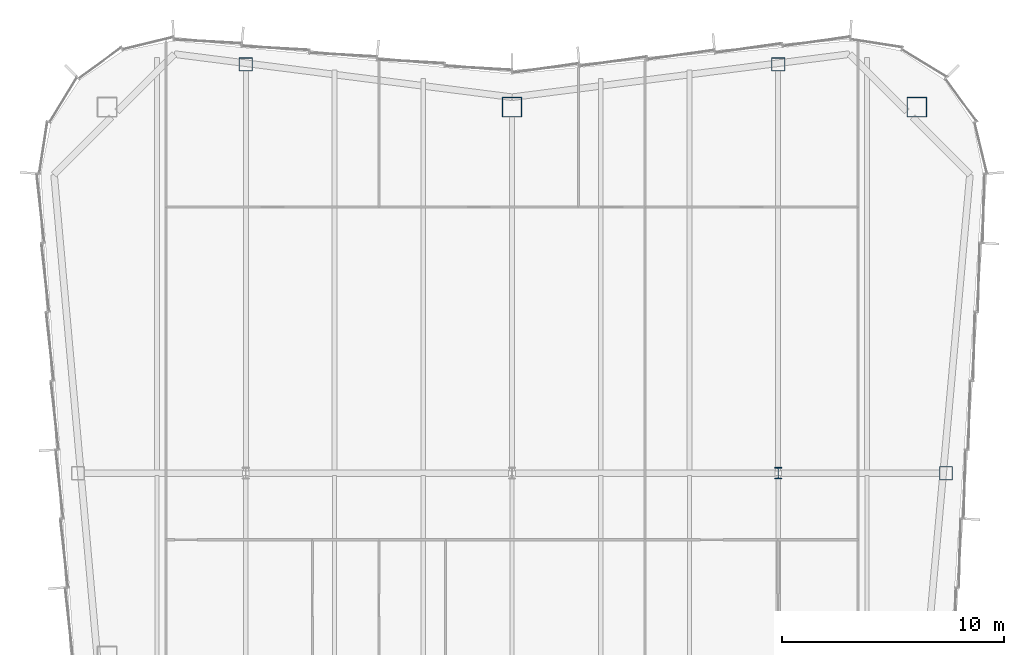
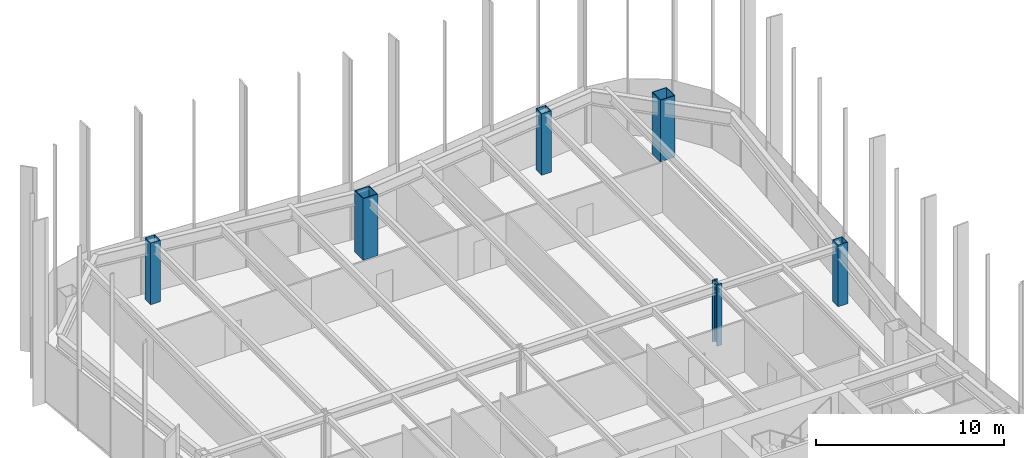
# One storey, part 2 of 13: 6 columns.
"""IFC4 building model written with IfcOpenShell, lengths in metres."""

import ifcopenshell
import ifcopenshell.guid

model = None  # the IFC model being written
_history = None  # IfcOwnerHistory: only IFC2X3 demands one
_inside = {}  # id of a spatial element -> (the spatial element, [elements in it])
_under = {}  # id of a project, library or spatial element -> (it, [spatial elements below it])
_declared = {}  # id of a project -> (the project, [libraries it declares])
_typed = {}  # id of a type object -> (the type object, [elements of that type])
_made_of = {}  # id of a material, layer set ... -> (it, [elements and type objects made of it])


def new_model(schema):
    """Start an empty IFC model of exactly this schema.

    Asked for "IFC4X3", IfcOpenShell would pick the latest addendum, in which some entities
    have other attributes; the version numbers below select the first issue.
    IFC2X3 requires an IfcOwnerHistory on every rooted entity: one is made here for all.
    """
    global model, _history
    if schema == "IFC4X3":
        model = ifcopenshell.file(schema_version=(4, 3, 0, 0))
    else:
        model = ifcopenshell.file(schema=schema)
    _inside.clear()
    _under.clear()
    _declared.clear()
    _typed.clear()
    _made_of.clear()
    _history = None
    if model.schema == "IFC2X3":
        org = make("IfcOrganization", Name="unknown")
        user = make(
            "IfcPersonAndOrganization",
            ThePerson=make("IfcPerson", FamilyName="unknown"),
            TheOrganization=org,
        )
        app = make(
            "IfcApplication",
            ApplicationDeveloper=org,
            Version="unknown",
            ApplicationFullName="unknown",
            ApplicationIdentifier="unknown",
        )
        _history = make(
            "IfcOwnerHistory",
            OwningUser=user,
            OwningApplication=app,
            ChangeAction="ADDED",
            CreationDate=0,
        )
    return model


def make(cls, **values):
    """One entity of the class cls with the attributes given. An attribute that is None is left unset."""
    return model.create_entity(
        cls, **{name: value for name, value in values.items() if value is not None}
    )


def rooted(cls, **values):
    """An entity with a GlobalId (a new one), such as an element, a storey or a relation."""
    return make(cls, GlobalId=ifcopenshell.guid.new(), OwnerHistory=_history, **values)


def si_unit(unit_type, name, prefix=None):
    """IfcSIUnit, for example si_unit("LENGTHUNIT", "METRE", prefix="MILLI")."""
    return make("IfcSIUnit", UnitType=unit_type, Prefix=prefix, Name=name)


def assignment(units):
    """IfcUnitAssignment: the units of a project."""
    return None if units is None else make("IfcUnitAssignment", Units=units)


def point(xyz):
    """IfcCartesianPoint."""
    return None if xyz is None else make("IfcCartesianPoint", Coordinates=xyz)


def direction(xyz):
    """IfcDirection."""
    return None if xyz is None else make("IfcDirection", DirectionRatios=xyz)


def frame(location, z_axis=None, x_axis=None):
    """IfcAxis2Placement3D, a coordinate frame: its origin and axes. An axis left out is left unset."""
    return make(
        "IfcAxis2Placement3D",
        Location=point(location),
        Axis=direction(z_axis),
        RefDirection=direction(x_axis),
    )


def frame_2d(location, x_axis=None):
    """IfcAxis2Placement2D, a coordinate frame in the plane: its origin and x axis."""
    return make(
        "IfcAxis2Placement2D", Location=point(location), RefDirection=direction(x_axis)
    )


def origin():
    """The frame at (0, 0, 0) with its axes left unset."""
    return frame((0.0, 0.0, 0.0))


def origin_2d():
    """The frame at (0, 0) in the plane with its x axis left unset."""
    return frame_2d((0.0, 0.0))


def place(relative_to, where):
    """IfcLocalPlacement: puts the frame where relative to a parent placement (None: the world)."""
    return make(
        "IfcLocalPlacement", PlacementRelTo=relative_to, RelativePlacement=where
    )


def context(
    kind, dimensions, precision=None, world=None, true_north=None, identifier=None
):
    """IfcGeometricRepresentationContext, for example the 3D "Model" context."""
    return make(
        "IfcGeometricRepresentationContext",
        ContextIdentifier=identifier,
        ContextType=kind,
        CoordinateSpaceDimension=dimensions,
        Precision=precision,
        WorldCoordinateSystem=world,
        TrueNorth=true_north,
    )


def subcontext(parent, identifier, kind, view, scale=None):
    """IfcGeometricRepresentationSubContext, for example "Body" below "Model"."""
    return make(
        "IfcGeometricRepresentationSubContext",
        ContextIdentifier=identifier,
        ContextType=kind,
        ParentContext=parent,
        TargetScale=scale,
        TargetView=view,
    )


def project(units=None, contexts=None):
    """IfcProject with its units and contexts."""
    return rooted(
        "IfcProject",
        Name="project",
        RepresentationContexts=contexts,
        UnitsInContext=assignment(units),
    )


def spatial(cls, under=None, at=None, **own):
    """A site, building, storey or space (cls), placed at a placement, below another one or the project."""
    s = rooted(cls, ObjectPlacement=at, **own)
    if under is not None:
        _under.setdefault(under.id(), (under, []))[1].append(s)
    return s


def profile(cls, at=None, kind="AREA", **sizes):
    """A parametric profile (cls). Its sizes go by their IFC names, for example OverallWidth=200.0."""
    return make(cls, ProfileType=kind, Position=at, **sizes)


def hollow_rectangle(**sizes):
    """IfcRectangleHollowProfileDef."""
    return profile("IfcRectangleHollowProfileDef", **sizes)


def i_section(**sizes):
    """IfcIShapeProfileDef."""
    return profile("IfcIShapeProfileDef", **sizes)


def extrude(swept, where, along, depth):
    """IfcExtrudedAreaSolid: the profile swept, set in the frame where, extruded along a direction by depth."""
    return make(
        "IfcExtrudedAreaSolid",
        SweptArea=swept,
        Position=where,
        ExtrudedDirection=direction(along),
        Depth=depth,
    )


def shape(context_of_items, identifier, shape_type, items):
    """IfcShapeRepresentation: the items that make up one representation, for example the "Body"."""
    return make(
        "IfcShapeRepresentation",
        ContextOfItems=context_of_items,
        RepresentationIdentifier=identifier,
        RepresentationType=shape_type,
        Items=items,
    )


def material(Name=None, Category=None):
    """IfcMaterial."""
    return make("IfcMaterial", Name=Name, Category=Category)


def material_profile(
    of_material, cross_section, Name=None, Category=None, Priority=None
):
    """IfcMaterialProfile: a cross section and its material."""
    return make(
        "IfcMaterialProfile",
        Name=Name,
        Material=of_material,
        Profile=cross_section,
        Priority=Priority,
        Category=Category,
    )


def profile_set(profiles, Name=None, composite=None):
    """IfcMaterialProfileSet."""
    return make(
        "IfcMaterialProfileSet",
        Name=Name,
        MaterialProfiles=profiles,
        CompositeProfile=composite,
    )


def made_of(thing, what):
    """Note that an element or type object is made of a material, layer set ...; save() writes the relation."""
    if what is not None:
        _made_of.setdefault(what.id(), (what, []))[1].append(thing)
    return thing


def type_object(cls, material=None, **own):
    """A type object (cls), such as IfcWallType, which elements share."""
    return made_of(rooted(cls, **own), material)


def element(
    cls,
    number,
    at=None,
    inside=None,
    cuts=None,
    type_object=None,
    material=None,
    context=None,
    identifier="Body",
    shape_type=None,
    held_by="IfcProductDefinitionShape",
    body=None,
    shapes=None,
    **own,
):
    """One element of the class cls, such as IfcWall. Its Tag is "e" and its number.

    at: its placement. inside: the storey or other place that contains it. cuts: it is an
    opening in that element (IfcRelVoidsElement). A single representation is given by context,
    identifier, shape_type and body (its items); several are given by shapes. held_by: the class
    of the entity that holds the representations. save() writes the other relations.
    """
    e = rooted(cls, Tag="e%d" % number, ObjectPlacement=at, **own)
    if body is not None:
        shapes = [shape(context, identifier, shape_type, body)]
    if shapes is not None:
        e.Representation = make(held_by, Representations=shapes)
    if inside is not None:
        _inside.setdefault(inside.id(), (inside, []))[1].append(e)
    if cuts is not None:
        rooted(
            "IfcRelVoidsElement", RelatingBuildingElement=cuts, RelatedOpeningElement=e
        )
    if type_object is not None:
        _typed.setdefault(type_object.id(), (type_object, []))[1].append(e)
    return made_of(e, material)


def aggregate(whole, parts):
    """IfcRelAggregates: a whole, such as a stair, and the parts it consists of."""
    return rooted("IfcRelAggregates", RelatingObject=whole, RelatedObjects=parts)


def save(model, path):
    """Write the relations noted so far, then the file.

    IfcRelAggregates (storeys below a building ...), IfcRelContainedInSpatialStructure (elements
    in a storey), IfcRelDefinesByType, IfcRelAssociatesMaterial and IfcRelDeclares: one each for
    every whole, place, type object, material and project.
    """
    for whole, parts in _under.values():
        aggregate(whole, parts)
    for where, things in _inside.values():
        rooted(
            "IfcRelContainedInSpatialStructure",
            RelatedElements=things,
            RelatingStructure=where,
        )
    for kind, things in _typed.values():
        rooted("IfcRelDefinesByType", RelatedObjects=things, RelatingType=kind)
    for what, things in _made_of.values():
        rooted("IfcRelAssociatesMaterial", RelatedObjects=things, RelatingMaterial=what)
    for by, libraries in _declared.values():
        rooted("IfcRelDeclares", RelatingContext=by, RelatedDefinitions=libraries)
    model.write(path)


model = new_model("IFC4")

# Units and contexts
model_context = context("Model", 3, precision=1e-05, world=origin(), true_north=direction((0.0, 1.0)))
body_context = subcontext(model_context, "Body", "Model", "MODEL_VIEW")
ifc_project = project(units=[si_unit("LENGTHUNIT", "METRE"), si_unit("AREAUNIT", "SQUARE_METRE"), si_unit("VOLUMEUNIT", "CUBIC_METRE"), si_unit("PLANEANGLEUNIT", "RADIAN"), si_unit("MASSUNIT", "GRAM", prefix="KILO")], contexts=[model_context])

# Site, building, storey
site_placement = place(None, origin())
site = spatial("IfcSite", under=ifc_project, at=site_placement, CompositionType="ELEMENT")
building_placement = place(site_placement, origin())
building = spatial("IfcBuilding", under=site, at=building_placement, Name="Verdant Reach Tower", CompositionType="ELEMENT")
storey_placement = place(building_placement, frame((0.0, 0.0, 306.0)))
storey = spatial("IfcBuildingStorey", under=building, at=storey_placement, Name="L70", CompositionType="ELEMENT", Elevation=306.0)

# Columns
ifc_material = material(Name="Steel S460", Category="steel")
ifc_material_profile_1 = material_profile(ifc_material, i_section(OverallWidth=0.305908203125, OverallDepth=0.52392578125, WebThickness=0.012451171875, FlangeThickness=0.0400390625, FilletRadius=0.027099609375, at=origin_2d()), Name="HEM 500")
ifc_profile_set_1 = profile_set([ifc_material_profile_1], Name="Steel S460")
column_type_1 = type_object("IfcColumnType", Name="ST-COL-HEM500", PredefinedType="COLUMN", material=ifc_profile_set_1)
column_placement = place(storey_placement, frame((12.0, 49.5, 0.0), z_axis=(0.0, 0.0, 1.0), x_axis=(1.0, 0.0, 0.0)))
element("IfcColumn", 1, at=column_placement, inside=storey, type_object=column_type_1, Name="Interior column 3, L70", PredefinedType="COLUMN", context=body_context, shape_type="SweptSolid", body=[
    extrude(i_section(OverallWidth=0.305908203125, OverallDepth=0.52392578125, WebThickness=0.012451171875, FlangeThickness=0.0400390625, FilletRadius=0.027099609375, at=origin_2d()), origin(), (0.0, 0.0, 1.0), 4.0),
])
ifc_material_profile_2 = material_profile(ifc_material, hollow_rectangle(XDim=0.60009765625, YDim=0.60009765625, WallThickness=0.02490234375, at=origin_2d()), Name="WB 600x600x25")
ifc_profile_set_2 = profile_set([ifc_material_profile_2], Name="Steel S460")
column_type_2 = type_object("IfcColumnType", Name="ST-COL-WB600x600x25", PredefinedType="COLUMN", material=ifc_profile_set_2)
for number, where, z_axis, x_axis, name in (
    (2, (-12.0, 67.930419921875, 0.0), (0.0, 0.0, 1.0), (1.0, 0.0, 0.0), "Perimeter column north 1, L70"),
    (3, (12.0, 67.930419921875, 0.0), (0.0, 0.0, 1.0), (1.0, 0.0, 0.0), "Perimeter column north 2, L70"),
    (4, (19.569091796875, 49.5, 0.0), (0.0, 0.0, 1.0), (1.0, 0.0, 0.0), "Perimeter column east 2, L70"),
):
    element("IfcColumn", number, at=place(storey_placement, frame(where, z_axis=z_axis, x_axis=x_axis)), inside=storey, type_object=column_type_2, Name=name, PredefinedType="COLUMN", context=body_context, shape_type="SweptSolid", body=[
        extrude(hollow_rectangle(XDim=0.60009765625, YDim=0.60009765625, WallThickness=0.02490234375, at=origin_2d()), origin(), (0.0, 0.0, 1.0), 4.0),
    ])
ifc_material_profile_3 = material_profile(ifc_material, hollow_rectangle(XDim=0.89990234375, YDim=0.89990234375, WallThickness=0.0400390625, at=origin_2d()), Name="WB 900x900x40")
ifc_profile_set_3 = profile_set([ifc_material_profile_3], Name="Steel S460")
column_type_3 = type_object("IfcColumnType", Name="ST-COL-WB900x900x40", PredefinedType="COLUMN", material=ifc_profile_set_3)
for number, where, z_axis, x_axis, name in (
    (5, (0.0, 66.0, 0.0), (0.0, 0.0, 1.0), (1.0, 0.0, 0.0), "Mega column north, L70"),
    (6, (18.25, 66.0, 0.0), (0.0, 0.0, 1.0), (1.0, 0.0, 0.0), "Mega column north-east, L70"),
):
    element("IfcColumn", number, at=place(storey_placement, frame(where, z_axis=z_axis, x_axis=x_axis)), inside=storey, type_object=column_type_3, Name=name, PredefinedType="COLUMN", context=body_context, shape_type="SweptSolid", body=[
        extrude(hollow_rectangle(XDim=0.89990234375, YDim=0.89990234375, WallThickness=0.0400390625, at=origin_2d()), origin(), (0.0, 0.0, 1.0), 4.0),
    ])

save(model, "model.ifc")
